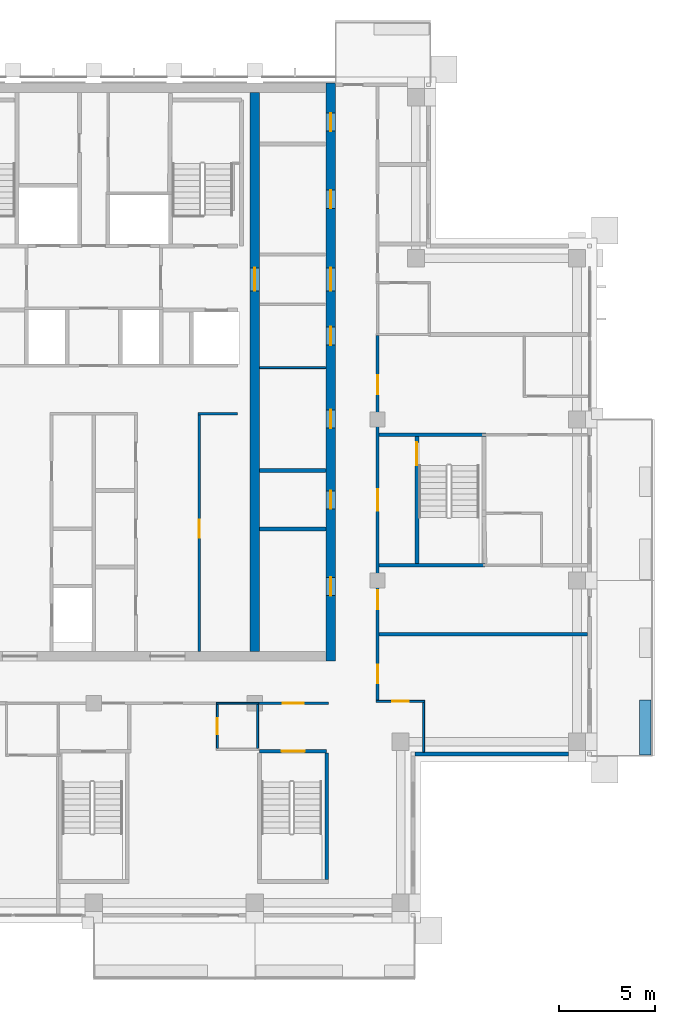
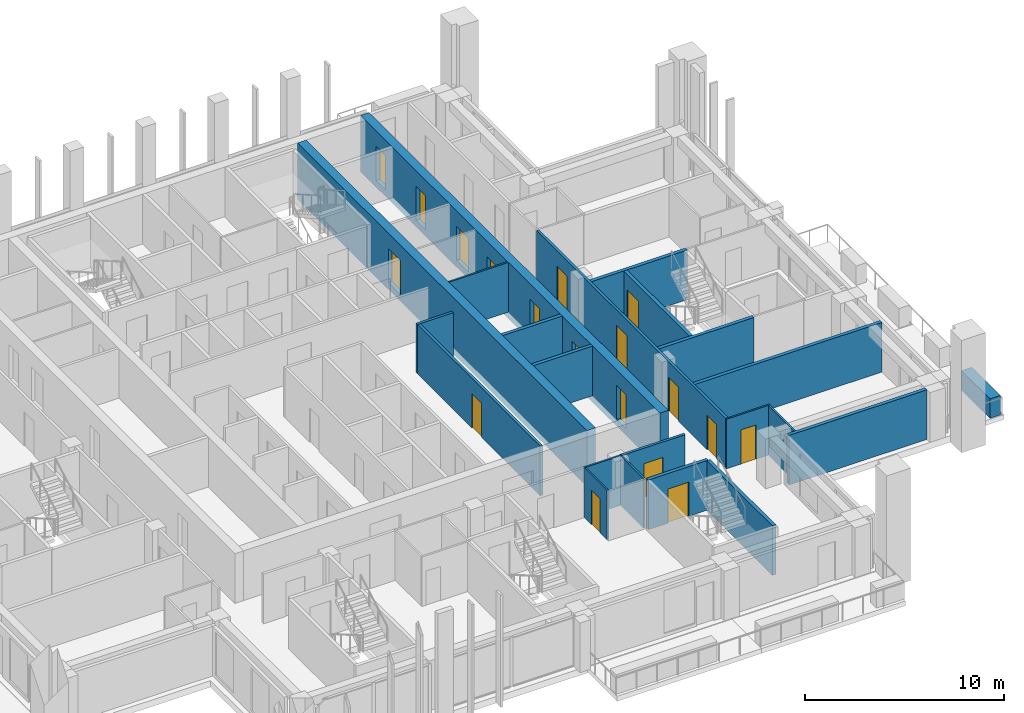
# One storey, part 11 of 18: 22 walls, 18 doors, 18 openings.
"""IFC4 building model written with IfcOpenShell, lengths in metres."""

import ifcopenshell
import ifcopenshell.guid

model = None  # the IFC model being written
_history = None  # IfcOwnerHistory: only IFC2X3 demands one
_inside = {}  # id of a spatial element -> (the spatial element, [elements in it])
_under = {}  # id of a project, library or spatial element -> (it, [spatial elements below it])
_declared = {}  # id of a project -> (the project, [libraries it declares])
_typed = {}  # id of a type object -> (the type object, [elements of that type])
_made_of = {}  # id of a material, layer set ... -> (it, [elements and type objects made of it])


def new_model(schema):
    """Start an empty IFC model of exactly this schema.

    Asked for "IFC4X3", IfcOpenShell would pick the latest addendum, in which some entities
    have other attributes; the version numbers below select the first issue.
    IFC2X3 requires an IfcOwnerHistory on every rooted entity: one is made here for all.
    """
    global model, _history
    if schema == "IFC4X3":
        model = ifcopenshell.file(schema_version=(4, 3, 0, 0))
    else:
        model = ifcopenshell.file(schema=schema)
    _inside.clear()
    _under.clear()
    _declared.clear()
    _typed.clear()
    _made_of.clear()
    _history = None
    if model.schema == "IFC2X3":
        org = make("IfcOrganization", Name="unknown")
        user = make(
            "IfcPersonAndOrganization",
            ThePerson=make("IfcPerson", FamilyName="unknown"),
            TheOrganization=org,
        )
        app = make(
            "IfcApplication",
            ApplicationDeveloper=org,
            Version="unknown",
            ApplicationFullName="unknown",
            ApplicationIdentifier="unknown",
        )
        _history = make(
            "IfcOwnerHistory",
            OwningUser=user,
            OwningApplication=app,
            ChangeAction="ADDED",
            CreationDate=0,
        )
    return model


def make(cls, **values):
    """One entity of the class cls with the attributes given. An attribute that is None is left unset."""
    return model.create_entity(
        cls, **{name: value for name, value in values.items() if value is not None}
    )


def rooted(cls, **values):
    """An entity with a GlobalId (a new one), such as an element, a storey or a relation."""
    return make(cls, GlobalId=ifcopenshell.guid.new(), OwnerHistory=_history, **values)


def si_unit(unit_type, name, prefix=None):
    """IfcSIUnit, for example si_unit("LENGTHUNIT", "METRE", prefix="MILLI")."""
    return make("IfcSIUnit", UnitType=unit_type, Prefix=prefix, Name=name)


def assignment(units):
    """IfcUnitAssignment: the units of a project."""
    return None if units is None else make("IfcUnitAssignment", Units=units)


def point(xyz):
    """IfcCartesianPoint."""
    return None if xyz is None else make("IfcCartesianPoint", Coordinates=xyz)


def direction(xyz):
    """IfcDirection."""
    return None if xyz is None else make("IfcDirection", DirectionRatios=xyz)


def frame(location, z_axis=None, x_axis=None):
    """IfcAxis2Placement3D, a coordinate frame: its origin and axes. An axis left out is left unset."""
    return make(
        "IfcAxis2Placement3D",
        Location=point(location),
        Axis=direction(z_axis),
        RefDirection=direction(x_axis),
    )


def frame_2d(location, x_axis=None):
    """IfcAxis2Placement2D, a coordinate frame in the plane: its origin and x axis."""
    return make(
        "IfcAxis2Placement2D", Location=point(location), RefDirection=direction(x_axis)
    )


def origin():
    """The frame at (0, 0, 0) with its axes left unset."""
    return frame((0.0, 0.0, 0.0))


def place(relative_to, where):
    """IfcLocalPlacement: puts the frame where relative to a parent placement (None: the world)."""
    return make(
        "IfcLocalPlacement", PlacementRelTo=relative_to, RelativePlacement=where
    )


def context(
    kind, dimensions, precision=None, world=None, true_north=None, identifier=None
):
    """IfcGeometricRepresentationContext, for example the 3D "Model" context."""
    return make(
        "IfcGeometricRepresentationContext",
        ContextIdentifier=identifier,
        ContextType=kind,
        CoordinateSpaceDimension=dimensions,
        Precision=precision,
        WorldCoordinateSystem=world,
        TrueNorth=true_north,
    )


def subcontext(parent, identifier, kind, view, scale=None):
    """IfcGeometricRepresentationSubContext, for example "Body" below "Model"."""
    return make(
        "IfcGeometricRepresentationSubContext",
        ContextIdentifier=identifier,
        ContextType=kind,
        ParentContext=parent,
        TargetScale=scale,
        TargetView=view,
    )


def project(units=None, contexts=None):
    """IfcProject with its units and contexts."""
    return rooted(
        "IfcProject",
        Name="project",
        RepresentationContexts=contexts,
        UnitsInContext=assignment(units),
    )


def spatial(cls, under=None, at=None, **own):
    """A site, building, storey or space (cls), placed at a placement, below another one or the project."""
    s = rooted(cls, ObjectPlacement=at, **own)
    if under is not None:
        _under.setdefault(under.id(), (under, []))[1].append(s)
    return s


def profile(cls, at=None, kind="AREA", **sizes):
    """A parametric profile (cls). Its sizes go by their IFC names, for example OverallWidth=200.0."""
    return make(cls, ProfileType=kind, Position=at, **sizes)


def rectangle(**sizes):
    """IfcRectangleProfileDef."""
    return profile("IfcRectangleProfileDef", **sizes)


def extrude(swept, where, along, depth):
    """IfcExtrudedAreaSolid: the profile swept, set in the frame where, extruded along a direction by depth."""
    return make(
        "IfcExtrudedAreaSolid",
        SweptArea=swept,
        Position=where,
        ExtrudedDirection=direction(along),
        Depth=depth,
    )


def shape(context_of_items, identifier, shape_type, items):
    """IfcShapeRepresentation: the items that make up one representation, for example the "Body"."""
    return make(
        "IfcShapeRepresentation",
        ContextOfItems=context_of_items,
        RepresentationIdentifier=identifier,
        RepresentationType=shape_type,
        Items=items,
    )


def material(Name=None, Category=None):
    """IfcMaterial."""
    return make("IfcMaterial", Name=Name, Category=Category)


def layer(
    of_material, thickness, ventilated=None, Name=None, Category=None, Priority=None
):
    """IfcMaterialLayer: one layer of a wall or slab, of a material (None: an air gap)."""
    return make(
        "IfcMaterialLayer",
        Material=of_material,
        LayerThickness=thickness,
        IsVentilated=ventilated,
        Name=Name,
        Category=Category,
        Priority=Priority,
    )


def layer_set(layers, Name=None):
    """IfcMaterialLayerSet."""
    return make("IfcMaterialLayerSet", MaterialLayers=layers, LayerSetName=Name)


def made_of(thing, what):
    """Note that an element or type object is made of a material, layer set ...; save() writes the relation."""
    if what is not None:
        _made_of.setdefault(what.id(), (what, []))[1].append(thing)
    return thing


def type_object(cls, material=None, **own):
    """A type object (cls), such as IfcWallType, which elements share."""
    return made_of(rooted(cls, **own), material)


def element(
    cls,
    number,
    at=None,
    inside=None,
    cuts=None,
    type_object=None,
    material=None,
    context=None,
    identifier="Body",
    shape_type=None,
    held_by="IfcProductDefinitionShape",
    body=None,
    shapes=None,
    **own,
):
    """One element of the class cls, such as IfcWall. Its Tag is "e" and its number.

    at: its placement. inside: the storey or other place that contains it. cuts: it is an
    opening in that element (IfcRelVoidsElement). A single representation is given by context,
    identifier, shape_type and body (its items); several are given by shapes. held_by: the class
    of the entity that holds the representations. save() writes the other relations.
    """
    e = rooted(cls, Tag="e%d" % number, ObjectPlacement=at, **own)
    if body is not None:
        shapes = [shape(context, identifier, shape_type, body)]
    if shapes is not None:
        e.Representation = make(held_by, Representations=shapes)
    if inside is not None:
        _inside.setdefault(inside.id(), (inside, []))[1].append(e)
    if cuts is not None:
        rooted(
            "IfcRelVoidsElement", RelatingBuildingElement=cuts, RelatedOpeningElement=e
        )
    if type_object is not None:
        _typed.setdefault(type_object.id(), (type_object, []))[1].append(e)
    return made_of(e, material)


def fill(opening, filler):
    """IfcRelFillsElement: the door or window that sits in an opening."""
    return rooted(
        "IfcRelFillsElement",
        RelatingOpeningElement=opening,
        RelatedBuildingElement=filler,
    )


def aggregate(whole, parts):
    """IfcRelAggregates: a whole, such as a stair, and the parts it consists of."""
    return rooted("IfcRelAggregates", RelatingObject=whole, RelatedObjects=parts)


def save(model, path):
    """Write the relations noted so far, then the file.

    IfcRelAggregates (storeys below a building ...), IfcRelContainedInSpatialStructure (elements
    in a storey), IfcRelDefinesByType, IfcRelAssociatesMaterial and IfcRelDeclares: one each for
    every whole, place, type object, material and project.
    """
    for whole, parts in _under.values():
        aggregate(whole, parts)
    for where, things in _inside.values():
        rooted(
            "IfcRelContainedInSpatialStructure",
            RelatedElements=things,
            RelatingStructure=where,
        )
    for kind, things in _typed.values():
        rooted("IfcRelDefinesByType", RelatedObjects=things, RelatingType=kind)
    for what, things in _made_of.values():
        rooted("IfcRelAssociatesMaterial", RelatedObjects=things, RelatingMaterial=what)
    for by, libraries in _declared.values():
        rooted("IfcRelDeclares", RelatingContext=by, RelatedDefinitions=libraries)
    model.write(path)


model = new_model("IFC4")

# Units and contexts
model_context = context("Model", 3, precision=1e-05, world=origin(), true_north=direction((0.0, 1.0)))
body_context = subcontext(model_context, "Body", "Model", "MODEL_VIEW")
ifc_project = project(units=[si_unit("LENGTHUNIT", "METRE"), si_unit("AREAUNIT", "SQUARE_METRE"), si_unit("VOLUMEUNIT", "CUBIC_METRE"), si_unit("PLANEANGLEUNIT", "RADIAN"), si_unit("MASSUNIT", "GRAM", prefix="KILO")], contexts=[model_context])

# Site, building, storey
site_placement = place(None, origin())
site = spatial("IfcSite", under=ifc_project, at=site_placement, CompositionType="ELEMENT")
building_placement = place(site_placement, origin())
building = spatial("IfcBuilding", under=site, at=building_placement, Name="Vermilion Ogive Tower", CompositionType="ELEMENT")
storey_placement = place(building_placement, frame((0.0, 0.0, 240.699951171875)))
storey = spatial("IfcBuildingStorey", under=building, at=storey_placement, Name="L63", CompositionType="ELEMENT", Elevation=240.699951171875)

# Wall, openings, doors
ifc_material_1 = material(Name="Concrete B60", Category="concrete")
ifc_layer_1 = layer(ifc_material_1, 0.5)
ifc_layer_set_1 = layer_set([ifc_layer_1], Name="Core wall 500 B60")
wall_type_1 = type_object("IfcWallType", Name="Core wall 500 B60", PredefinedType="SHEAR", material=ifc_layer_set_1)
wall_1_placement = place(storey_placement, frame((12.35009765625, -8.39990234375, -0.39990234375), z_axis=(0.0, 0.0, 1.0), x_axis=(0.0, 1.0, 0.0)))
wall_1 = element("IfcWall", 1, at=wall_1_placement, inside=storey, type_object=wall_type_1, Name="L63-CORE-E", PredefinedType="SHEAR", context=body_context, shape_type="SweptSolid", body=[
    extrude(rectangle(XDim=30.14990234375, YDim=0.5, at=frame_2d((15.074951171875, 0.0))), origin(), (0.0, 0.0, 1.0), 3.449951171875),
])
opening_1_placement = place(wall_1_placement, frame((3.415771484375, 0.0, 0.39990234375)))
opening_1 = element("IfcOpeningElement", 2, at=opening_1_placement, cuts=wall_1, Name="Opening DAC111", PredefinedType="OPENING", context=body_context, shape_type="SweptSolid", body=[
    extrude(rectangle(XDim=0.949951171875, YDim=2.10009765625, at=frame_2d((0.47509765625, 1.050048828125))), frame((0.0, 0.260009765625, 0.0), z_axis=(0.0, -1.0, 0.0), x_axis=(1.0, 0.0, 0.0)), (0.0, 0.0, 1.0), 0.52001953125),
])
opening_2_placement = place(wall_1_placement, frame((7.93212890625, 0.0, 0.39990234375)))
opening_2 = element("IfcOpeningElement", 3, at=opening_2_placement, cuts=wall_1, Name="Opening DAC112", PredefinedType="OPENING", context=body_context, shape_type="SweptSolid", body=[
    extrude(rectangle(XDim=0.949951171875, YDim=2.10009765625, at=frame_2d((0.47509765625, 1.050048828125))), frame((0.0, 0.260009765625, 0.0), z_axis=(0.0, -1.0, 0.0), x_axis=(1.0, 0.0, 0.0)), (0.0, 0.0, 1.0), 0.52001953125),
])
opening_3_placement = place(wall_1_placement, frame((12.1435546875, 0.0, 0.39990234375)))
opening_3 = element("IfcOpeningElement", 4, at=opening_3_placement, cuts=wall_1, Name="Opening DAC113", PredefinedType="OPENING", context=body_context, shape_type="SweptSolid", body=[
    extrude(rectangle(XDim=0.949951171875, YDim=2.10009765625, at=frame_2d((0.47509765625, 1.050048828125))), frame((0.0, 0.260009765625, 0.0), z_axis=(0.0, -1.0, 0.0), x_axis=(1.0, 0.0, 0.0)), (0.0, 0.0, 1.0), 0.52001953125),
])
opening_4_placement = place(wall_1_placement, frame((16.47705078125, 0.0, 0.39990234375)))
opening_4 = element("IfcOpeningElement", 5, at=opening_4_placement, cuts=wall_1, Name="Opening DAC114", PredefinedType="OPENING", context=body_context, shape_type="SweptSolid", body=[
    extrude(rectangle(XDim=0.949951171875, YDim=2.10009765625, at=frame_2d((0.47509765625, 1.050048828125))), frame((0.0, 0.260009765625, 0.0), z_axis=(0.0, -1.0, 0.0), x_axis=(1.0, 0.0, 0.0)), (0.0, 0.0, 1.0), 0.52001953125),
])
opening_5_placement = place(wall_1_placement, frame((23.60498046875, 0.0, 0.39990234375)))
opening_5 = element("IfcOpeningElement", 6, at=opening_5_placement, cuts=wall_1, Name="Opening DAC115", PredefinedType="OPENING", context=body_context, shape_type="SweptSolid", body=[
    extrude(rectangle(XDim=0.949951171875, YDim=2.10009765625, at=frame_2d((0.47509765625, 1.050048828125))), frame((0.0, 0.260009765625, 0.0), z_axis=(0.0, -1.0, 0.0), x_axis=(1.0, 0.0, 0.0)), (0.0, 0.0, 1.0), 0.52001953125),
])
opening_6_placement = place(wall_1_placement, frame((27.630126953125, 0.0, 0.39990234375)))
opening_6 = element("IfcOpeningElement", 7, at=opening_6_placement, cuts=wall_1, Name="Opening DAC116", PredefinedType="OPENING", context=body_context, shape_type="SweptSolid", body=[
    extrude(rectangle(XDim=0.949951171875, YDim=2.10009765625, at=frame_2d((0.47509765625, 1.050048828125))), frame((0.0, 0.260009765625, 0.0), z_axis=(0.0, -1.0, 0.0), x_axis=(1.0, 0.0, 0.0)), (0.0, 0.0, 1.0), 0.52001953125),
])
opening_7_placement = place(wall_1_placement, frame((19.300048828125, 0.0, 0.39990234375)))
opening_7 = element("IfcOpeningElement", 8, at=opening_7_placement, cuts=wall_1, Name="Opening DAL026", PredefinedType="OPENING", context=body_context, shape_type="SweptSolid", body=[
    extrude(rectangle(XDim=1.199951171875, YDim=2.10009765625, at=frame_2d((0.60009765625, 1.050048828125))), frame((0.0, 0.260009765625, 0.0), z_axis=(0.0, -1.0, 0.0), x_axis=(1.0, 0.0, 0.0)), (0.0, 0.0, 1.0), 0.52001953125),
])
ifc_material_2 = material(Name="Timber door leaf", Category="wood")
door_type_1 = type_object("IfcDoorType", Name="Link door 1200 x 2100 FD60S", OperationType="SINGLE_SWING_LEFT", PredefinedType="DOOR", material=ifc_material_2)
door_1_placement = place(opening_7_placement, origin())
door_1 = element("IfcDoor", 9, at=door_1_placement, inside=storey, type_object=door_type_1, Name="L63-CKE-XL", OperationType="SINGLE_SWING_LEFT", OverallHeight=2.10009765625, OverallWidth=1.199951171875, PredefinedType="DOOR", context=body_context, shape_type="SweptSolid", body=[
    extrude(rectangle(XDim=1.199951171875, YDim=2.10009765625, at=frame_2d((0.60009765625, 1.050048828125))), frame((0.0, 0.02490234375, 0.0), z_axis=(0.0, -1.0, 0.0), x_axis=(1.0, 0.0, 0.0)), (0.0, 0.0, 1.0), 0.050048828125),
])
fill(opening_7, door_1)
ifc_material_3 = material(Name="Timber door leaf", Category="wood")
door_type_2 = type_object("IfcDoorType", Name="Service door 950 x 2100 FD60", OperationType="SINGLE_SWING_LEFT", PredefinedType="DOOR", material=ifc_material_3)
door_2_placement = place(opening_1_placement, origin())
door_2 = element("IfcDoor", 10, at=door_2_placement, inside=storey, type_object=door_type_2, Name="L63-CKE-XR0", OperationType="SINGLE_SWING_LEFT", OverallHeight=2.10009765625, OverallWidth=0.949951171875, PredefinedType="DOOR", context=body_context, shape_type="SweptSolid", body=[
    extrude(rectangle(XDim=0.949951171875, YDim=2.10009765625, at=frame_2d((0.47509765625, 1.050048828125))), frame((0.0, 0.02490234375, 0.0), z_axis=(0.0, -1.0, 0.0), x_axis=(1.0, 0.0, 0.0)), (0.0, 0.0, 1.0), 0.050048828125),
])
fill(opening_1, door_2)
door_3_placement = place(opening_2_placement, origin())
door_3 = element("IfcDoor", 11, at=door_3_placement, inside=storey, type_object=door_type_2, Name="L63-CKE-XR1", OperationType="SINGLE_SWING_LEFT", OverallHeight=2.10009765625, OverallWidth=0.949951171875, PredefinedType="DOOR", context=body_context, shape_type="SweptSolid", body=[
    extrude(rectangle(XDim=0.949951171875, YDim=2.10009765625, at=frame_2d((0.47509765625, 1.050048828125))), frame((0.0, 0.02490234375, 0.0), z_axis=(0.0, -1.0, 0.0), x_axis=(1.0, 0.0, 0.0)), (0.0, 0.0, 1.0), 0.050048828125),
])
fill(opening_2, door_3)
door_4_placement = place(opening_3_placement, origin())
door_4 = element("IfcDoor", 12, at=door_4_placement, inside=storey, type_object=door_type_2, Name="L63-CKE-XR2", OperationType="SINGLE_SWING_LEFT", OverallHeight=2.10009765625, OverallWidth=0.949951171875, PredefinedType="DOOR", context=body_context, shape_type="SweptSolid", body=[
    extrude(rectangle(XDim=0.949951171875, YDim=2.10009765625, at=frame_2d((0.47509765625, 1.050048828125))), frame((0.0, 0.02490234375, 0.0), z_axis=(0.0, -1.0, 0.0), x_axis=(1.0, 0.0, 0.0)), (0.0, 0.0, 1.0), 0.050048828125),
])
fill(opening_3, door_4)
door_5_placement = place(opening_4_placement, origin())
door_5 = element("IfcDoor", 13, at=door_5_placement, inside=storey, type_object=door_type_2, Name="L63-CKE-XR3", OperationType="SINGLE_SWING_LEFT", OverallHeight=2.10009765625, OverallWidth=0.949951171875, PredefinedType="DOOR", context=body_context, shape_type="SweptSolid", body=[
    extrude(rectangle(XDim=0.949951171875, YDim=2.10009765625, at=frame_2d((0.47509765625, 1.050048828125))), frame((0.0, 0.02490234375, 0.0), z_axis=(0.0, -1.0, 0.0), x_axis=(1.0, 0.0, 0.0)), (0.0, 0.0, 1.0), 0.050048828125),
])
fill(opening_4, door_5)
door_6_placement = place(opening_5_placement, origin())
door_6 = element("IfcDoor", 14, at=door_6_placement, inside=storey, type_object=door_type_2, Name="L63-CKE-XR4", OperationType="SINGLE_SWING_LEFT", OverallHeight=2.10009765625, OverallWidth=0.949951171875, PredefinedType="DOOR", context=body_context, shape_type="SweptSolid", body=[
    extrude(rectangle(XDim=0.949951171875, YDim=2.10009765625, at=frame_2d((0.47509765625, 1.050048828125))), frame((0.0, 0.02490234375, 0.0), z_axis=(0.0, -1.0, 0.0), x_axis=(1.0, 0.0, 0.0)), (0.0, 0.0, 1.0), 0.050048828125),
])
fill(opening_5, door_6)
door_7_placement = place(opening_6_placement, origin())
door_7 = element("IfcDoor", 15, at=door_7_placement, inside=storey, type_object=door_type_2, Name="L63-CKE-XR5", OperationType="SINGLE_SWING_LEFT", OverallHeight=2.10009765625, OverallWidth=0.949951171875, PredefinedType="DOOR", context=body_context, shape_type="SweptSolid", body=[
    extrude(rectangle(XDim=0.949951171875, YDim=2.10009765625, at=frame_2d((0.47509765625, 1.050048828125))), frame((0.0, 0.02490234375, 0.0), z_axis=(0.0, -1.0, 0.0), x_axis=(1.0, 0.0, 0.0)), (0.0, 0.0, 1.0), 0.050048828125),
])
fill(opening_6, door_7)

# Wall, opening, door
wall_2_placement = place(storey_placement, frame((8.39990234375, -7.89990234375, -0.39990234375), z_axis=(0.0, 0.0, 1.0), x_axis=(0.0, 1.0, 0.0)))
wall_2 = element("IfcWall", 16, at=wall_2_placement, inside=storey, type_object=wall_type_1, Name="L63-CORE-WEB2", PredefinedType="SHEAR", context=body_context, shape_type="SweptSolid", body=[
    extrude(rectangle(XDim=29.14990234375, YDim=0.5, at=frame_2d((14.574951171875, 0.0))), origin(), (0.0, 0.0, 1.0), 3.449951171875),
])
opening_8_placement = place(wall_2_placement, frame((18.800048828125, 0.0, 0.39990234375)))
opening_8 = element("IfcOpeningElement", 17, at=opening_8_placement, cuts=wall_2, Name="Opening DAO021", PredefinedType="OPENING", context=body_context, shape_type="SweptSolid", body=[
    extrude(rectangle(XDim=1.199951171875, YDim=2.10009765625, at=frame_2d((0.60009765625, 1.050048828125))), frame((0.0, 0.260009765625, 0.0), z_axis=(0.0, -1.0, 0.0), x_axis=(1.0, 0.0, 0.0)), (0.0, 0.0, 1.0), 0.52001953125),
])
door_8_placement = place(opening_8_placement, origin())
door_8 = element("IfcDoor", 18, at=door_8_placement, inside=storey, type_object=door_type_1, Name="L63-CKE-XW", OperationType="SINGLE_SWING_LEFT", OverallHeight=2.10009765625, OverallWidth=1.199951171875, PredefinedType="DOOR", context=body_context, shape_type="SweptSolid", body=[
    extrude(rectangle(XDim=1.199951171875, YDim=2.10009765625, at=frame_2d((0.60009765625, 1.050048828125))), frame((0.0, 0.02490234375, 0.0), z_axis=(0.0, -1.0, 0.0), x_axis=(1.0, 0.0, 0.0)), (0.0, 0.0, 1.0), 0.050048828125),
])
fill(opening_8, door_8)

# Wall
ifc_material_4 = material(Name="Gypsum board partition on steel studs", Category="steel")
ifc_layer_2 = layer(ifc_material_4, 0.10009765625)
ifc_layer_set_2 = layer_set([ifc_layer_2], Name="Partition 100 bath")
wall_type_2 = type_object("IfcWallType", Name="Partition 100 bath", PredefinedType="PARTITIONING", material=ifc_layer_set_2)
wall_3_placement = place(storey_placement, frame((6.39990234375, -10.60009765625, 0.0), z_axis=(0.0, 0.0, 1.0), x_axis=(1.0, 0.0, 0.0)))
element("IfcWall", 19, at=wall_3_placement, inside=storey, type_object=wall_type_2, Name="L63-W-W010", PredefinedType="PARTITIONING", context=body_context, shape_type="SweptSolid", body=[
    extrude(rectangle(XDim=2.2001953125, YDim=0.10009765625, at=frame_2d((1.10009765625, 0.0))), origin(), (0.0, 0.0, 1.0), 3.050048828125),
])

# Wall, opening, door
wall_4_placement = place(storey_placement, frame((14.72509765625, -10.5, 0.0), z_axis=(0.0, 0.0, 1.0), x_axis=(1.0, 0.0, 0.0)))
wall_4 = element("IfcWall", 20, at=wall_4_placement, inside=storey, type_object=wall_type_2, Name="L63-W-W012", PredefinedType="PARTITIONING", context=body_context, shape_type="SweptSolid", body=[
    extrude(rectangle(XDim=2.52490234375, YDim=0.10009765625, at=frame_2d((1.262451171875, 0.0))), origin(), (0.0, 0.0, 1.0), 3.050048828125),
])
opening_9_placement = place(wall_4_placement, frame((0.849853515625, 0.0, 0.0)))
opening_9 = element("IfcOpeningElement", 21, at=opening_9_placement, cuts=wall_4, Name="Opening D5G3014", PredefinedType="OPENING", context=body_context, shape_type="SweptSolid", body=[
    extrude(rectangle(XDim=0.85009765625, YDim=2.10009765625, at=frame_2d((0.425048828125, 1.050048828125))), frame((0.0, 0.06005859375, 0.0), z_axis=(0.0, -1.0, 0.0), x_axis=(1.0, 0.0, 0.0)), (0.0, 0.0, 1.0), 0.1201171875),
])
ifc_material_5 = material(Name="Timber door leaf", Category="wood")
door_type_3 = type_object("IfcDoorType", Name="Bath door 850 x 2100 FD30", OperationType="SINGLE_SWING_LEFT", PredefinedType="DOOR", material=ifc_material_5)
door_9_placement = place(opening_9_placement, origin())
door_9 = element("IfcDoor", 22, at=door_9_placement, inside=storey, type_object=door_type_3, Name="L63-D-D014", OperationType="SINGLE_SWING_RIGHT", OverallHeight=2.10009765625, OverallWidth=0.85009765625, PredefinedType="DOOR", context=body_context, shape_type="SweptSolid", body=[
    extrude(rectangle(XDim=0.85009765625, YDim=2.10009765625, at=frame_2d((0.425048828125, 1.050048828125))), frame((0.0, 0.02490234375, 0.0), z_axis=(0.0, -1.0, 0.0), x_axis=(1.0, 0.0, 0.0)), (0.0, 0.0, 1.0), 0.050048828125),
])
fill(opening_9, door_9)

wall_5_placement = place(storey_placement, frame((6.449951171875, -12.949951171875, 0.0), z_axis=(0.0, 0.0, 1.0), x_axis=(0.0, 1.0, 0.0)))
wall_5 = element("IfcWall", 23, at=wall_5_placement, inside=storey, type_object=wall_type_2, Name="L63-W-W052", PredefinedType="PARTITIONING", context=body_context, shape_type="SweptSolid", body=[
    extrude(rectangle(XDim=2.27490234375, YDim=0.10009765625, at=frame_2d((1.137451171875, 0.0))), origin(), (0.0, 0.0, 1.0), 3.050048828125),
])
opening_10_placement = place(wall_5_placement, frame((0.724853515625, 0.0, 0.0)))
opening_10 = element("IfcOpeningElement", 24, at=opening_10_placement, cuts=wall_5, Name="Opening D5G3012", PredefinedType="OPENING", context=body_context, shape_type="SweptSolid", body=[
    extrude(rectangle(XDim=0.85009765625, YDim=2.10009765625, at=frame_2d((0.425048828125, 1.050048828125))), frame((0.0, 0.06005859375, 0.0), z_axis=(0.0, -1.0, 0.0), x_axis=(1.0, 0.0, 0.0)), (0.0, 0.0, 1.0), 0.1201171875),
])
door_10_placement = place(opening_10_placement, origin())
door_10 = element("IfcDoor", 25, at=door_10_placement, inside=storey, type_object=door_type_3, Name="L63-D-D012", OperationType="SINGLE_SWING_RIGHT", OverallHeight=2.10009765625, OverallWidth=0.85009765625, PredefinedType="DOOR", context=body_context, shape_type="SweptSolid", body=[
    extrude(rectangle(XDim=0.85009765625, YDim=2.10009765625, at=frame_2d((0.425048828125, 1.050048828125))), frame((0.0, 0.02490234375, 0.0), z_axis=(0.0, -1.0, 0.0), x_axis=(1.0, 0.0, 0.0)), (0.0, 0.0, 1.0), 0.050048828125),
])
fill(opening_10, door_10)

# Walls
wall_6_placement = place(storey_placement, frame((8.550048828125, -12.949951171875, 0.0), z_axis=(0.0, 0.0, 1.0), x_axis=(0.0, 1.0, 0.0)))
element("IfcWall", 26, at=wall_6_placement, inside=storey, type_object=wall_type_2, Name="L63-W-W053", PredefinedType="PARTITIONING", context=body_context, shape_type="SweptSolid", body=[
    extrude(rectangle(XDim=2.27490234375, YDim=0.10009765625, at=frame_2d((1.137451171875, 0.0))), origin(), (0.0, 0.0, 1.0), 3.050048828125),
])
wall_7_placement = place(storey_placement, frame((17.199951171875, -13.14990234375, 0.0), z_axis=(0.0, 0.0, 1.0), x_axis=(0.0, 1.0, 0.0)))
element("IfcWall", 27, at=wall_7_placement, inside=storey, type_object=wall_type_2, Name="L63-W-W058", PredefinedType="PARTITIONING", context=body_context, shape_type="SweptSolid", body=[
    extrude(rectangle(XDim=2.599853515625, YDim=0.10009765625, at=frame_2d((1.2998046875, 0.0))), origin(), (0.0, 0.0, 1.0), 3.050048828125),
])
wall_8_placement = place(storey_placement, frame((8.65087890625, 6.904052734375, 0.0), z_axis=(0.0, 0.0, 1.0), x_axis=(1.0, 0.0, 0.0)))
element("IfcWall", 28, at=wall_8_placement, inside=storey, type_object=wall_type_2, Name="L63-CKE-W-W003", PredefinedType="PARTITIONING", context=body_context, shape_type="SweptSolid", body=[
    extrude(rectangle(XDim=3.4482421875, YDim=0.10009765625, at=frame_2d((1.72412109375, 0.0))), origin(), (0.0, 0.0, 1.0), 3.050048828125),
])

# Wall, opening, door
ifc_material_6 = material(Name="Gypsum board partition on steel studs", Category="steel")
ifc_layer_3 = layer(ifc_material_6, 0.14990234375)
ifc_layer_set_3 = layer_set([ifc_layer_3], Name="Partition 150 corridor")
wall_type_3 = type_object("IfcWallType", Name="Partition 150 corridor", PredefinedType="PARTITIONING", material=ifc_layer_set_3)
wall_9_placement = place(storey_placement, frame((8.5, -10.60009765625, 0.0), z_axis=(0.0, 0.0, 1.0), x_axis=(1.0, 0.0, 0.0)))
wall_9 = element("IfcWall", 29, at=wall_9_placement, inside=storey, type_object=wall_type_3, Name="L63-W-W011", PredefinedType="PARTITIONING", context=body_context, shape_type="SweptSolid", body=[
    extrude(rectangle(XDim=3.75, YDim=0.14990234375, at=frame_2d((1.875, 0.0))), origin(), (0.0, 0.0, 1.0), 3.050048828125),
])
opening_11_placement = place(wall_9_placement, frame((1.35009765625, 0.0, 0.0)))
opening_11 = element("IfcOpeningElement", 30, at=opening_11_placement, cuts=wall_9, Name="Opening D5G3027", PredefinedType="OPENING", context=body_context, shape_type="SweptSolid", body=[
    extrude(rectangle(XDim=1.10009765625, YDim=2.10009765625, at=frame_2d((0.550048828125, 1.050048828125))), frame((0.0, 0.0849609375, 0.0), z_axis=(0.0, -1.0, 0.0), x_axis=(1.0, 0.0, 0.0)), (0.0, 0.0, 1.0), 0.169921875),
])
ifc_material_7 = material(Name="Timber door leaf", Category="wood")
door_type_4 = type_object("IfcDoorType", Name="Stair door 1100 x 2100 FD60S", OperationType="SINGLE_SWING_LEFT", PredefinedType="DOOR", material=ifc_material_7)
door_11_placement = place(opening_11_placement, origin())
door_11 = element("IfcDoor", 31, at=door_11_placement, inside=storey, type_object=door_type_4, Name="L63-D-D027", OperationType="SINGLE_SWING_RIGHT", OverallHeight=2.10009765625, OverallWidth=1.10009765625, PredefinedType="DOOR", context=body_context, shape_type="SweptSolid", body=[
    extrude(rectangle(XDim=1.10009765625, YDim=2.10009765625, at=frame_2d((0.550048828125, 1.050048828125))), frame((0.0, 0.02490234375, 0.0), z_axis=(0.0, -1.0, 0.0), x_axis=(1.0, 0.0, 0.0)), (0.0, 0.0, 1.0), 0.050048828125),
])
fill(opening_11, door_11)

# Wall, openings, doors
wall_10_placement = place(storey_placement, frame((14.800048828125, -10.449951171875, 0.0), z_axis=(0.0, 0.0, 1.0), x_axis=(0.0, 1.0, 0.0)))
wall_10 = element("IfcWall", 32, at=wall_10_placement, inside=storey, type_object=wall_type_3, Name="L63-W-W054", PredefinedType="PARTITIONING", context=body_context, shape_type="SweptSolid", body=[
    extrude(rectangle(XDim=19.030029296875, YDim=0.14990234375, at=frame_2d((9.51513671875, 0.0))), origin(), (0.0, 0.0, 1.0), 3.050048828125),
])
opening_12_placement = place(wall_10_placement, frame((0.89990234375, 0.0, 0.0)))
opening_12 = element("IfcOpeningElement", 33, at=opening_12_placement, cuts=wall_10, Name="Opening D5G3013", PredefinedType="OPENING", context=body_context, shape_type="SweptSolid", body=[
    extrude(rectangle(XDim=0.949951171875, YDim=2.10009765625, at=frame_2d((0.47509765625, 1.050048828125))), frame((0.0, 0.0849609375, 0.0), z_axis=(0.0, -1.0, 0.0), x_axis=(1.0, 0.0, 0.0)), (0.0, 0.0, 1.0), 0.169921875),
])
opening_13_placement = place(wall_10_placement, frame((15.96484375, 0.0, 0.0)))
opening_13 = element("IfcOpeningElement", 34, at=opening_13_placement, cuts=wall_10, Name="Opening D5G3016", PredefinedType="OPENING", context=body_context, shape_type="SweptSolid", body=[
    extrude(rectangle(XDim=1.0, YDim=2.10009765625, at=frame_2d((0.5, 1.050048828125))), frame((0.0, 0.0849609375, 0.0), z_axis=(0.0, -1.0, 0.0), x_axis=(1.0, 0.0, 0.0)), (0.0, 0.0, 1.0), 0.169921875),
])
opening_14_placement = place(wall_10_placement, frame((9.89990234375, 0.0, 0.0)))
opening_14 = element("IfcOpeningElement", 35, at=opening_14_placement, cuts=wall_10, Name="Opening D5G3029", PredefinedType="OPENING", context=body_context, shape_type="SweptSolid", body=[
    extrude(rectangle(XDim=1.10009765625, YDim=2.10009765625, at=frame_2d((0.550048828125, 1.050048828125))), frame((0.0, 0.0849609375, 0.0), z_axis=(0.0, -1.0, 0.0), x_axis=(1.0, 0.0, 0.0)), (0.0, 0.0, 1.0), 0.169921875),
])
opening_15_placement = place(wall_10_placement, frame((4.75, 0.0, 0.0)))
opening_15 = element("IfcOpeningElement", 36, at=opening_15_placement, cuts=wall_10, Name="Opening D5G3034", PredefinedType="OPENING", context=body_context, shape_type="SweptSolid", body=[
    extrude(rectangle(XDim=1.0, YDim=2.10009765625, at=frame_2d((0.5, 1.050048828125))), frame((0.0, 0.0849609375, 0.0), z_axis=(0.0, -1.0, 0.0), x_axis=(1.0, 0.0, 0.0)), (0.0, 0.0, 1.0), 0.169921875),
])
door_12_placement = place(opening_14_placement, origin())
door_12 = element("IfcDoor", 37, at=door_12_placement, inside=storey, type_object=door_type_4, Name="L63-D-D029", OperationType="SINGLE_SWING_LEFT", OverallHeight=2.10009765625, OverallWidth=1.10009765625, PredefinedType="DOOR", context=body_context, shape_type="SweptSolid", body=[
    extrude(rectangle(XDim=1.10009765625, YDim=2.10009765625, at=frame_2d((0.550048828125, 1.050048828125))), frame((0.0, 0.02490234375, 0.0), z_axis=(0.0, -1.0, 0.0), x_axis=(1.0, 0.0, 0.0)), (0.0, 0.0, 1.0), 0.050048828125),
])
fill(opening_14, door_12)
ifc_material_8 = material(Name="Timber door leaf", Category="wood")
door_type_5 = type_object("IfcDoorType", Name="Unit door 1000 x 2100 FD30S", OperationType="SINGLE_SWING_LEFT", PredefinedType="DOOR", material=ifc_material_8)
door_13_placement = place(opening_13_placement, origin())
door_13 = element("IfcDoor", 38, at=door_13_placement, inside=storey, type_object=door_type_5, Name="L63-D-D016", OperationType="SINGLE_SWING_LEFT", OverallHeight=2.10009765625, OverallWidth=1.0, PredefinedType="DOOR", context=body_context, shape_type="SweptSolid", body=[
    extrude(rectangle(XDim=1.0, YDim=2.10009765625, at=frame_2d((0.5, 1.050048828125))), frame((0.0, 0.02490234375, 0.0), z_axis=(0.0, -1.0, 0.0), x_axis=(1.0, 0.0, 0.0)), (0.0, 0.0, 1.0), 0.050048828125),
])
fill(opening_13, door_13)
door_14_placement = place(opening_15_placement, origin())
door_14 = element("IfcDoor", 39, at=door_14_placement, inside=storey, type_object=door_type_5, Name="L63-D-D034", OperationType="SINGLE_SWING_RIGHT", OverallHeight=2.10009765625, OverallWidth=1.0, PredefinedType="DOOR", context=body_context, shape_type="SweptSolid", body=[
    extrude(rectangle(XDim=1.0, YDim=2.10009765625, at=frame_2d((0.5, 1.050048828125))), frame((0.0, 0.02490234375, 0.0), z_axis=(0.0, -1.0, 0.0), x_axis=(1.0, 0.0, 0.0)), (0.0, 0.0, 1.0), 0.050048828125),
])
fill(opening_15, door_14)
ifc_material_9 = material(Name="Timber door leaf", Category="wood")
door_type_6 = type_object("IfcDoorType", Name="Unit door 950 x 2100 FD30S", OperationType="SINGLE_SWING_LEFT", PredefinedType="DOOR", material=ifc_material_9)
door_15_placement = place(opening_12_placement, origin())
door_15 = element("IfcDoor", 40, at=door_15_placement, inside=storey, type_object=door_type_6, Name="L63-D-D013", OperationType="SINGLE_SWING_RIGHT", OverallHeight=2.10009765625, OverallWidth=0.949951171875, PredefinedType="DOOR", context=body_context, shape_type="SweptSolid", body=[
    extrude(rectangle(XDim=0.949951171875, YDim=2.10009765625, at=frame_2d((0.47509765625, 1.050048828125))), frame((0.0, 0.02490234375, 0.0), z_axis=(0.0, -1.0, 0.0), x_axis=(1.0, 0.0, 0.0)), (0.0, 0.0, 1.0), 0.050048828125),
])
fill(opening_12, door_15)

# Wall
wall_11_placement = place(storey_placement, frame((5.425048828125, 4.5, 0.0), z_axis=(0.0, 0.0, 1.0), x_axis=(1.0, 0.0, 0.0)))
element("IfcWall", 41, at=wall_11_placement, inside=storey, type_object=wall_type_3, Name="L63-CK-W-W010", PredefinedType="PARTITIONING", context=body_context, shape_type="SweptSolid", body=[
    extrude(rectangle(XDim=2.074951171875, YDim=0.14990234375, at=frame_2d((1.03759765625, 0.0))), origin(), (0.0, 0.0, 1.0), 3.050048828125),
])

# Wall, opening, door
wall_12_placement = place(storey_placement, frame((5.5, -7.89892578125, 0.0), z_axis=(0.0, 0.0, 1.0), x_axis=(0.0, 1.0, 0.0)))
wall_12 = element("IfcWall", 42, at=wall_12_placement, inside=storey, type_object=wall_type_3, Name="L63-CK-W-W038", PredefinedType="PARTITIONING", context=body_context, shape_type="SweptSolid", body=[
    extrude(rectangle(XDim=12.323974609375, YDim=0.14990234375, at=frame_2d((6.162109375, 0.0))), origin(), (0.0, 0.0, 1.0), 3.050048828125),
])
opening_16_placement = place(wall_12_placement, frame((5.923828125, 0.0, 0.0)))
opening_16 = element("IfcOpeningElement", 43, at=opening_16_placement, cuts=wall_12, Name="Opening DAA595", PredefinedType="OPENING", context=body_context, shape_type="SweptSolid", body=[
    extrude(rectangle(XDim=0.949951171875, YDim=2.10009765625, at=frame_2d((0.47509765625, 1.050048828125))), frame((0.0, 0.0849609375, 0.0), z_axis=(0.0, -1.0, 0.0), x_axis=(1.0, 0.0, 0.0)), (0.0, 0.0, 1.0), 0.169921875),
])
door_16_placement = place(opening_16_placement, origin())
door_16 = element("IfcDoor", 44, at=door_16_placement, inside=storey, type_object=door_type_2, Name="L63-CK-D-D011", OperationType="SINGLE_SWING_LEFT", OverallHeight=2.10009765625, OverallWidth=0.949951171875, PredefinedType="DOOR", context=body_context, shape_type="SweptSolid", body=[
    extrude(rectangle(XDim=0.949951171875, YDim=2.10009765625, at=frame_2d((0.47509765625, 1.050048828125))), frame((0.0, 0.02490234375, 0.0), z_axis=(0.0, -1.0, 0.0), x_axis=(1.0, 0.0, 0.0)), (0.0, 0.0, 1.0), 0.050048828125),
])
fill(opening_16, door_16)

# Walls
ifc_material_10 = material(Name="Gypsum board partition on steel studs", Category="steel")
ifc_layer_4 = layer(ifc_material_10, 0.199951171875)
ifc_layer_set_4 = layer_set([ifc_layer_4], Name="Partition 200 party")
wall_type_4 = type_object("IfcWallType", Name="Partition 200 party", PredefinedType="PARTITIONING", material=ifc_layer_set_4)
wall_13_placement = place(storey_placement, frame((14.875, -7.0, 0.0), z_axis=(0.0, 0.0, 1.0), x_axis=(1.0, 0.0, 0.0)))
element("IfcWall", 45, at=wall_13_placement, inside=storey, type_object=wall_type_4, Name="L63-W-W015", PredefinedType="PARTITIONING", context=body_context, shape_type="SweptSolid", body=[
    extrude(rectangle(XDim=10.875, YDim=0.199951171875, at=frame_2d((5.4375, 0.0))), origin(), (0.0, 0.0, 1.0), 3.050048828125),
])
for number, where, z_axis, x_axis, name in (
    (46, (8.65087890625, -1.51904296875, 0.0), (0.0, 0.0, 1.0), (1.0, 0.0, 0.0), "L63-CKE-W-W001"),
    (47, (8.65087890625, 1.532958984375, 0.0), (0.0, 0.0, 1.0), (1.0, 0.0, 0.0), "L63-CKE-W-W002"),
):
    element("IfcWall", number, at=place(storey_placement, frame(where, z_axis=z_axis, x_axis=x_axis)), inside=storey, type_object=wall_type_4, Name=name, PredefinedType="PARTITIONING", context=body_context, shape_type="SweptSolid", body=[
        extrude(rectangle(XDim=3.4482421875, YDim=0.199951171875, at=frame_2d((1.72412109375, 0.0))), origin(), (0.0, 0.0, 1.0), 3.050048828125),
    ])

# Wall, opening, door
ifc_material_11 = material(Name="Concrete B60", Category="concrete")
ifc_layer_5 = layer(ifc_material_11, 0.199951171875)
ifc_layer_set_5 = layer_set([ifc_layer_5], Name="Stair shaft wall 200 Concrete B60")
wall_type_5 = type_object("IfcWallType", Name="Stair shaft wall 200 Concrete B60", PredefinedType="SOLIDWALL", material=ifc_layer_set_5)
wall_14_placement = place(storey_placement, frame((8.64990234375, -13.10009765625, 0.0), z_axis=(0.0, 0.0, 1.0), x_axis=(1.0, 0.0, 0.0)))
wall_14 = element("IfcWall", 48, at=wall_14_placement, inside=storey, type_object=wall_type_5, Name="L63-W-W005", PredefinedType="SOLIDWALL", context=body_context, shape_type="SweptSolid", body=[
    extrude(rectangle(XDim=3.5, YDim=0.199951171875, at=frame_2d((1.75, 0.0))), origin(), (0.0, 0.0, 1.0), 3.050048828125),
])
opening_17_placement = place(wall_14_placement, frame((1.150146484375, 0.0, 0.0)))
opening_17 = element("IfcOpeningElement", 49, at=opening_17_placement, cuts=wall_14, Name="Opening D5G3028", PredefinedType="OPENING", context=body_context, shape_type="SweptSolid", body=[
    extrude(rectangle(XDim=1.199951171875, YDim=2.10009765625, at=frame_2d((0.60009765625, 1.050048828125))), frame((0.0, 0.10986328125, 0.0), z_axis=(0.0, -1.0, 0.0), x_axis=(1.0, 0.0, 0.0)), (0.0, 0.0, 1.0), 0.219970703125),
])
ifc_material_12 = material(Name="Timber door leaf", Category="wood")
door_type_7 = type_object("IfcDoorType", Name="Stair door 1200 x 2100 FD60S", OperationType="SINGLE_SWING_LEFT", PredefinedType="DOOR", material=ifc_material_12)
door_17_placement = place(opening_17_placement, origin())
door_17 = element("IfcDoor", 50, at=door_17_placement, inside=storey, type_object=door_type_7, Name="L63-D-D028", OperationType="SINGLE_SWING_RIGHT", OverallHeight=2.10009765625, OverallWidth=1.199951171875, PredefinedType="DOOR", context=body_context, shape_type="SweptSolid", body=[
    extrude(rectangle(XDim=1.199951171875, YDim=2.10009765625, at=frame_2d((0.60009765625, 1.050048828125))), frame((0.0, 0.02490234375, 0.0), z_axis=(0.0, -1.0, 0.0), x_axis=(1.0, 0.0, 0.0)), (0.0, 0.0, 1.0), 0.050048828125),
])
fill(opening_17, door_17)

# Walls
wall_15_placement = place(storey_placement, frame((14.875, -3.39990234375, 0.0), z_axis=(0.0, 0.0, 1.0), x_axis=(1.0, 0.0, 0.0)))
element("IfcWall", 51, at=wall_15_placement, inside=storey, type_object=wall_type_5, Name="L63-W-W019", PredefinedType="SOLIDWALL", context=body_context, shape_type="SweptSolid", body=[
    extrude(rectangle(XDim=5.52490234375, YDim=0.199951171875, at=frame_2d((2.762451171875, 0.0))), origin(), (0.0, 0.0, 1.0), 3.050048828125),
])
wall_16_placement = place(storey_placement, frame((14.875, 3.39990234375, 0.0), z_axis=(0.0, 0.0, 1.0), x_axis=(1.0, 0.0, 0.0)))
element("IfcWall", 52, at=wall_16_placement, inside=storey, type_object=wall_type_5, Name="L63-W-W026", PredefinedType="SOLIDWALL", context=body_context, shape_type="SweptSolid", body=[
    extrude(rectangle(XDim=5.574951171875, YDim=0.199951171875, at=frame_2d((2.78759765625, 0.0))), origin(), (0.0, 0.0, 1.0), 3.050048828125),
])

# Wall, opening, door
wall_17_placement = place(storey_placement, frame((16.85009765625, -3.300048828125, 0.0), z_axis=(0.0, 0.0, 1.0), x_axis=(0.0, 1.0, 0.0)))
wall_17 = element("IfcWall", 53, at=wall_17_placement, inside=storey, type_object=wall_type_5, Name="L63-W-W057", PredefinedType="SOLIDWALL", context=body_context, shape_type="SweptSolid", body=[
    extrude(rectangle(XDim=6.60009765625, YDim=0.199951171875, at=frame_2d((3.300048828125, 0.0))), origin(), (0.0, 0.0, 1.0), 3.050048828125),
])
opening_18_placement = place(wall_17_placement, frame((5.10009765625, 0.0, 0.0)))
opening_18 = element("IfcOpeningElement", 54, at=opening_18_placement, cuts=wall_17, Name="Opening D5G3030", PredefinedType="OPENING", context=body_context, shape_type="SweptSolid", body=[
    extrude(rectangle(XDim=1.199951171875, YDim=2.10009765625, at=frame_2d((0.60009765625, 1.050048828125))), frame((0.0, 0.10986328125, 0.0), z_axis=(0.0, -1.0, 0.0), x_axis=(1.0, 0.0, 0.0)), (0.0, 0.0, 1.0), 0.219970703125),
])
door_18_placement = place(opening_18_placement, origin())
door_18 = element("IfcDoor", 55, at=door_18_placement, inside=storey, type_object=door_type_7, Name="L63-D-D030", OperationType="SINGLE_SWING_LEFT", OverallHeight=2.10009765625, OverallWidth=1.199951171875, PredefinedType="DOOR", context=body_context, shape_type="SweptSolid", body=[
    extrude(rectangle(XDim=1.199951171875, YDim=2.10009765625, at=frame_2d((0.60009765625, 1.050048828125))), frame((0.0, 0.02490234375, 0.0), z_axis=(0.0, -1.0, 0.0), x_axis=(1.0, 0.0, 0.0)), (0.0, 0.0, 1.0), 0.050048828125),
])
fill(opening_18, door_18)

# Walls
wall_18_placement = place(storey_placement, frame((12.14990234375, -19.800048828125, 0.0), z_axis=(0.0, 0.0, 1.0), x_axis=(0.0, 1.0, 0.0)))
element("IfcWall", 56, at=wall_18_placement, inside=storey, type_object=wall_type_5, Name="L63-SW-ST5-E1", PredefinedType="SOLIDWALL", context=body_context, shape_type="SweptSolid", body=[
    extrude(rectangle(XDim=6.60009765625, YDim=0.199951171875, at=frame_2d((3.300048828125, 0.0))), origin(), (0.0, 0.0, 1.0), 3.050048828125),
])
ifc_material_13 = material(Name="Concrete B40", Category="concrete")
ifc_layer_6 = layer(ifc_material_13, 0.60009765625)
ifc_layer_set_6 = layer_set([ifc_layer_6], Name="Structural planter")
wall_type_6 = type_object("IfcWallType", Name="Structural planter", PredefinedType="USERDEFINED", material=ifc_layer_set_6)
wall_19_placement = place(storey_placement, frame((28.75, -13.2900390625, -0.0400390625), z_axis=(0.0, 0.0, 1.0), x_axis=(0.0, 1.0, 0.0)))
element("IfcWall", 57, at=wall_19_placement, inside=storey, type_object=wall_type_6, Name="Planter E01A1", ObjectType="PLANTER", PredefinedType="USERDEFINED", context=body_context, shape_type="SweptSolid", body=[
    extrude(rectangle(XDim=2.864990234375, YDim=0.60009765625, at=frame_2d((1.4326171875, 0.0))), origin(), (0.0, 0.0, 1.0), 1.2001953125),
])
ifc_material_14 = material(Name="Aluminium window wall framing", Category="aluminium")
ifc_layer_7 = layer(ifc_material_14, 0.199951171875)
ifc_layer_set_7 = layer_set([ifc_layer_7], Name="Window wall")
wall_type_7 = type_object("IfcWallType", Name="Window wall", PredefinedType="STANDARD", material=ifc_layer_set_7)
wall_20_placement = place(storey_placement, frame((16.75, -13.25, 0.0), z_axis=(0.0, 0.0, 1.0), x_axis=(1.0, 0.0, 0.0)))
element("IfcWall", 58, at=wall_20_placement, inside=storey, type_object=wall_type_7, Name="Window wall X21", PredefinedType="STANDARD", context=body_context, shape_type="SweptSolid", body=[
    extrude(rectangle(XDim=8.0, YDim=0.199951171875, at=frame_2d((4.0, 0.0))), origin(), (0.0, 0.0, 1.0), 3.050048828125),
])

save(model, "model.ifc")
